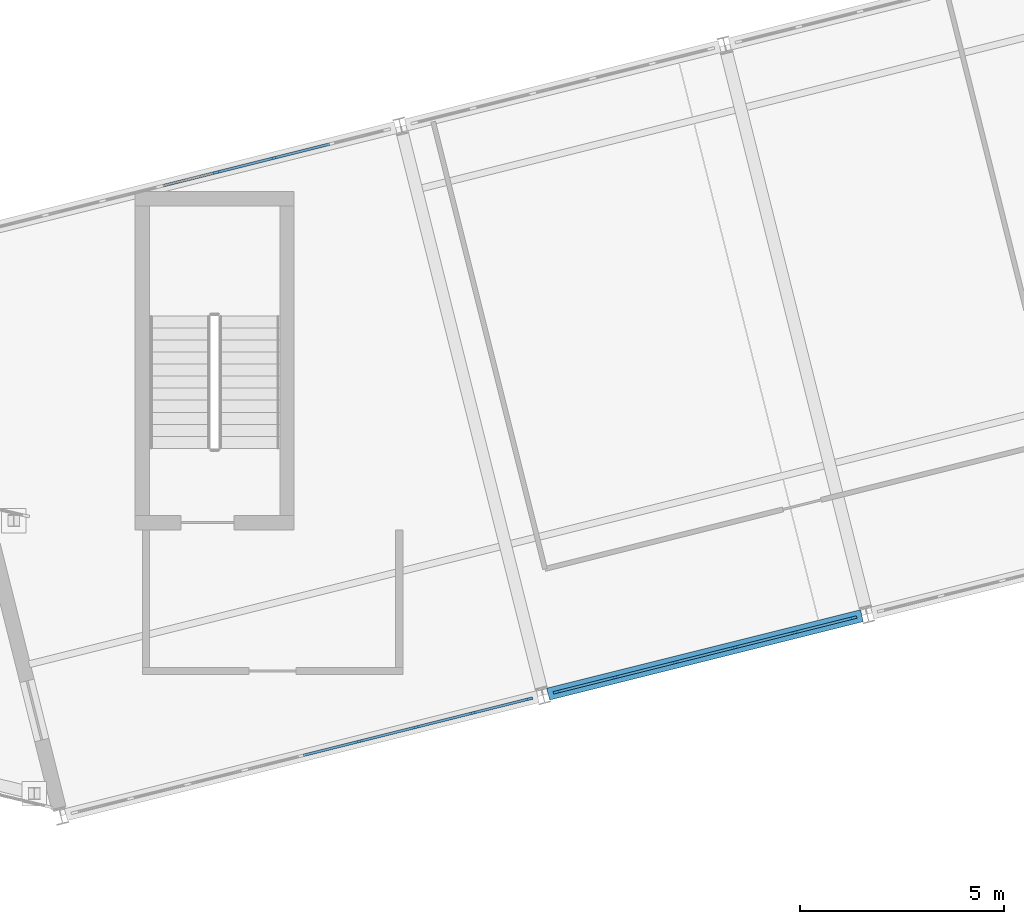
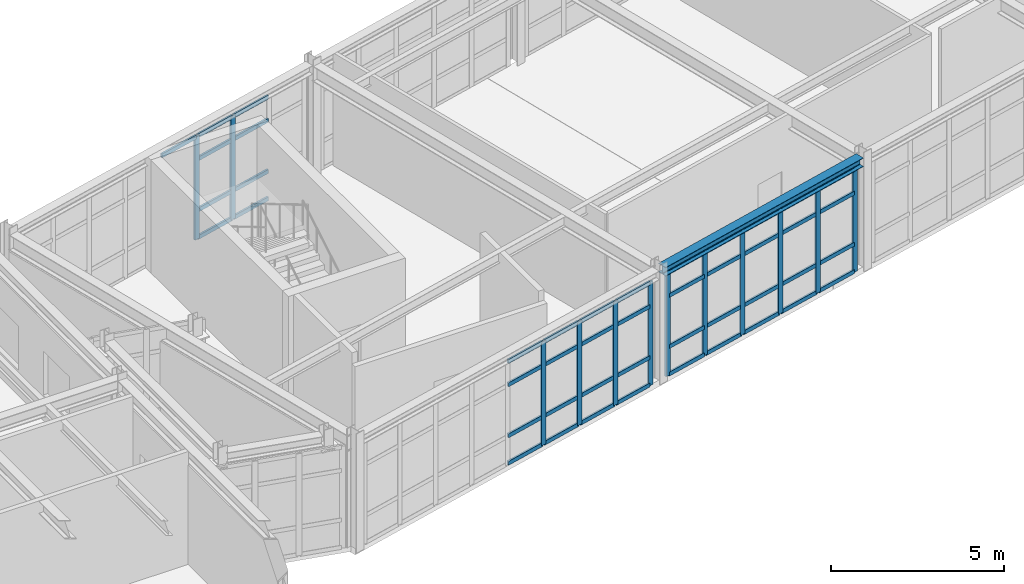
# One storey, part 18 of 76: 57 members, 1 beam, 3 elements without a shape of their own.
"""IFC4 building model written with IfcOpenShell, lengths in metres."""

from ifc_helpers import new_model, si_unit, direction, frame, origin, origin_2d, place, context, subcontext, project, spatial, rectangle, i_section, extrude, material, layer, layer_set, material_profile, profile_set, type_object, element, aggregate, save


model = new_model("IFC4")

# Units and contexts
model_context = context("Model", 3, precision=1e-05, world=origin(), true_north=direction((0.0, 1.0)))
body_context = subcontext(model_context, "Body", "Model", "MODEL_VIEW")
ifc_project = project(units=[si_unit("LENGTHUNIT", "METRE"), si_unit("AREAUNIT", "SQUARE_METRE"), si_unit("VOLUMEUNIT", "CUBIC_METRE"), si_unit("PLANEANGLEUNIT", "RADIAN"), si_unit("MASSUNIT", "GRAM", prefix="KILO")], contexts=[model_context])

# Site, building, storey
site_placement = place(None, origin())
site = spatial("IfcSite", under=ifc_project, at=site_placement, CompositionType="ELEMENT")
building_placement = place(site_placement, origin())
building = spatial("IfcBuilding", under=site, at=building_placement, Name="Nordkorset Police Headquarters", CompositionType="ELEMENT")
storey_placement = place(building_placement, frame((0.0, 0.0, 13.64990234375)))
storey = spatial("IfcBuildingStorey", under=building, at=storey_placement, Name="L03", CompositionType="ELEMENT", Elevation=13.64990234375)

# Curtain wall, members
ifc_material_1 = material(Name="Aluminium alloy AW-6060", Category="aluminium")
ifc_layer_1 = layer(ifc_material_1, 0.179931640625, Name="Aluminium alloy AW-6060")
ifc_layer_set_1 = layer_set([ifc_layer_1], Name="Aluminium alloy AW-6060")
curtain_wall_type_1 = type_object("IfcCurtainWallType", Name="CW_Unit_1156x365", PredefinedType="USERDEFINED", material=ifc_layer_set_1)
curtain_wall_1_placement = place(storey_placement, origin())
curtain_wall_1 = element("IfcCurtainWall", 1, at=curtain_wall_1_placement, inside=storey, type_object=curtain_wall_type_1, Name="Unitised Curtain Wall L03 V4S-0", ObjectType="UNITISED CURTAIN WALL", PredefinedType="USERDEFINED")
ifc_material_2 = material(Name="Aluminium alloy AW-6060", Category="aluminium")
ifc_material_profile_1 = material_profile(ifc_material_2, rectangle(XDim=0.06494140625, YDim=0.179931640625, at=origin_2d()), Name="ALU MULL 65x180")
ifc_profile_set_1 = profile_set([ifc_material_profile_1], Name="Aluminium alloy AW-6060")
member_type_1 = type_object("IfcMemberType", Name="CW_Mullion_65x180", PredefinedType="MULLION", material=ifc_profile_set_1)
member_1_placement = place(storey_placement, frame((30.919677734375, 43.829833984375, 0.0), z_axis=(0.0, 0.0, 1.0), x_axis=(-0.242535625038, 0.970142500145, 0.0)))
member_1 = element("IfcMember", 2, at=member_1_placement, type_object=member_type_1, Name="CW-38 mullion 6", PredefinedType="MULLION", context=body_context, shape_type="SweptSolid", body=[
    extrude(rectangle(XDim=0.06494140625, YDim=0.179931640625, at=origin_2d()), origin(), (0.0, 0.0, 1.0), 3.650146484375),
])
member_2_placement = place(storey_placement, frame((32.321533203125, 44.180419921875, 0.0), z_axis=(0.0, 0.0, 1.0), x_axis=(-0.242535625038, 0.970142500145, 0.0)))
member_2 = element("IfcMember", 3, at=member_2_placement, type_object=member_type_1, Name="CW-38 mullion 7", PredefinedType="MULLION", context=body_context, shape_type="SweptSolid", body=[
    extrude(rectangle(XDim=0.06494140625, YDim=0.179931640625, at=origin_2d()), origin(), (0.0, 0.0, 1.0), 3.650146484375),
])
member_3_placement = place(storey_placement, frame((33.723388671875, 44.53076171875, 0.0), z_axis=(0.0, 0.0, 1.0), x_axis=(-0.242535625038, 0.970142500145, 0.0)))
member_3 = element("IfcMember", 4, at=member_3_placement, type_object=member_type_1, Name="CW-38 mullion 8", PredefinedType="MULLION", context=body_context, shape_type="SweptSolid", body=[
    extrude(rectangle(XDim=0.06494140625, YDim=0.179931640625, at=origin_2d()), origin(), (0.0, 0.0, 1.0), 3.650146484375),
])
member_4_placement = place(storey_placement, frame((35.09375, 44.87353515625, 0.0), z_axis=(0.0, 0.0, 1.0), x_axis=(-0.242535625038, 0.970142500145, 0.0)))
member_4 = element("IfcMember", 5, at=member_4_placement, type_object=member_type_1, Name="CW-38 mullion 9", PredefinedType="MULLION", context=body_context, shape_type="SweptSolid", body=[
    extrude(rectangle(XDim=0.06494140625, YDim=0.179931640625, at=origin_2d()), origin(), (0.0, 0.0, 1.0), 3.650146484375),
])

curtain_wall_2_placement = place(storey_placement, origin())
curtain_wall_2 = element("IfcCurtainWall", 6, at=curtain_wall_2_placement, inside=storey, type_object=curtain_wall_type_1, Name="Unitised Curtain Wall L03 V4N-0", ObjectType="UNITISED CURTAIN WALL", PredefinedType="USERDEFINED")
member_5_placement = place(storey_placement, frame((27.42724609375, 57.800048828125, 0.0), z_axis=(0.0, 0.0, 1.0), x_axis=(-0.242536235663, 0.970142347489, 0.0)))
member_5 = element("IfcMember", 7, at=member_5_placement, type_object=member_type_1, Name="CW-38 mullion 6", PredefinedType="MULLION", context=body_context, shape_type="SweptSolid", body=[
    extrude(rectangle(XDim=0.06494140625, YDim=0.179931640625, at=origin_2d()), origin(), (0.0, 0.0, 1.0), 3.650146484375),
])
member_6_placement = place(storey_placement, frame((28.8291015625, 58.150390625, 0.0), z_axis=(0.0, 0.0, 1.0), x_axis=(-0.242536235663, 0.970142347489, 0.0)))
member_6 = element("IfcMember", 8, at=member_6_placement, type_object=member_type_1, Name="CW-38 mullion 7", PredefinedType="MULLION", context=body_context, shape_type="SweptSolid", body=[
    extrude(rectangle(XDim=0.06494140625, YDim=0.179931640625, at=origin_2d()), origin(), (0.0, 0.0, 1.0), 3.650146484375),
])

ifc_material_3 = material(Name="Aluminium alloy AW-6060", Category="aluminium")
ifc_layer_2 = layer(ifc_material_3, 0.179931640625, Name="Aluminium alloy AW-6060")
ifc_layer_set_2 = layer_set([ifc_layer_2], Name="Aluminium alloy AW-6060")
curtain_wall_type_2 = type_object("IfcCurtainWallType", Name="CW_Unit_756x365", PredefinedType="USERDEFINED", material=ifc_layer_set_2)
curtain_wall_3_placement = place(storey_placement, origin())
curtain_wall_3 = element("IfcCurtainWall", 9, at=curtain_wall_3_placement, inside=storey, type_object=curtain_wall_type_2, Name="Unitised Curtain Wall L03 V4S-1", ObjectType="UNITISED CURTAIN WALL", PredefinedType="USERDEFINED")
member_7_placement = place(storey_placement, frame((35.777587890625, 45.04443359375, 0.0), z_axis=(0.0, 0.0, 1.0), x_axis=(-0.242535625038, 0.970142500145, 0.0)))
member_7 = element("IfcMember", 10, at=member_7_placement, type_object=member_type_1, Name="CW-104 mullion 1", PredefinedType="MULLION", context=body_context, shape_type="SweptSolid", body=[
    extrude(rectangle(XDim=0.06494140625, YDim=0.179931640625, at=origin_2d()), origin(), (0.0, 0.0, 1.0), 3.650146484375),
])
member_8_placement = place(storey_placement, frame((37.213134765625, 45.4033203125, 0.0), z_axis=(0.0, 0.0, 1.0), x_axis=(-0.242535625038, 0.970142500145, 0.0)))
member_8 = element("IfcMember", 11, at=member_8_placement, type_object=member_type_1, Name="CW-104 mullion 2", PredefinedType="MULLION", context=body_context, shape_type="SweptSolid", body=[
    extrude(rectangle(XDim=0.06494140625, YDim=0.179931640625, at=origin_2d()), origin(), (0.0, 0.0, 1.0), 3.650146484375),
])
member_9_placement = place(storey_placement, frame((38.679931640625, 45.77001953125, 0.0), z_axis=(0.0, 0.0, 1.0), x_axis=(-0.242535625038, 0.970142500145, 0.0)))
member_9 = element("IfcMember", 12, at=member_9_placement, type_object=member_type_1, Name="CW-104 mullion 3", PredefinedType="MULLION", context=body_context, shape_type="SweptSolid", body=[
    extrude(rectangle(XDim=0.06494140625, YDim=0.179931640625, at=origin_2d()), origin(), (0.0, 0.0, 1.0), 3.650146484375),
])
member_10_placement = place(storey_placement, frame((40.146728515625, 46.13671875, 0.0), z_axis=(0.0, 0.0, 1.0), x_axis=(-0.242535625038, 0.970142500145, 0.0)))
member_10 = element("IfcMember", 13, at=member_10_placement, type_object=member_type_1, Name="CW-104 mullion 4", PredefinedType="MULLION", context=body_context, shape_type="SweptSolid", body=[
    extrude(rectangle(XDim=0.06494140625, YDim=0.179931640625, at=origin_2d()), origin(), (0.0, 0.0, 1.0), 3.650146484375),
])
member_11_placement = place(storey_placement, frame((41.613525390625, 46.50341796875, 0.0), z_axis=(0.0, 0.0, 1.0), x_axis=(-0.242535625038, 0.970142500145, 0.0)))
member_11 = element("IfcMember", 14, at=member_11_placement, type_object=member_type_1, Name="CW-104 mullion 5", PredefinedType="MULLION", context=body_context, shape_type="SweptSolid", body=[
    extrude(rectangle(XDim=0.06494140625, YDim=0.179931640625, at=origin_2d()), origin(), (0.0, 0.0, 1.0), 3.650146484375),
])
member_12_placement = place(storey_placement, frame((43.048828125, 46.8623046875, 0.0), z_axis=(0.0, 0.0, 1.0), x_axis=(-0.242535625038, 0.970142500145, 0.0)))
member_12 = element("IfcMember", 15, at=member_12_placement, type_object=member_type_1, Name="CW-104 mullion 6", PredefinedType="MULLION", context=body_context, shape_type="SweptSolid", body=[
    extrude(rectangle(XDim=0.06494140625, YDim=0.179931640625, at=origin_2d()), origin(), (0.0, 0.0, 1.0), 3.650146484375),
])

# Member
ifc_material_4 = material(Name="Aluminium alloy AW-6060", Category="aluminium")
ifc_material_profile_2 = material_profile(ifc_material_4, rectangle(XDim=0.06494140625, YDim=0.139892578125, at=origin_2d()), Name="ALU TRAN 65x140")
ifc_profile_set_2 = profile_set([ifc_material_profile_2], Name="Aluminium alloy AW-6060")
member_type_2 = type_object("IfcMemberType", Name="CW_Transom_65x140", PredefinedType="USERDEFINED", material=ifc_profile_set_2)
member_13_placement = place(storey_placement, frame((29.54931640625, 43.4873046875, 0.03271484375), z_axis=(0.970142500145, 0.242535625036, 0.0), x_axis=(-0.242535625036, 0.970142500145, 0.0)))
member_13 = element("IfcMember", 16, at=member_13_placement, type_object=member_type_2, Name="CW-38 transom 5.1", ObjectType="TRANSOM", PredefinedType="USERDEFINED", context=body_context, shape_type="SweptSolid", body=[
    extrude(rectangle(XDim=0.06494140625, YDim=0.139892578125, at=origin_2d()), origin(), (0.0, 0.0, 1.0), 1.380126953125),
])

member_14_placement = place(storey_placement, frame((29.54931640625, 43.4873046875, 1.0), z_axis=(0.970142500145, 0.242535625036, 0.0), x_axis=(-0.242535625036, 0.970142500145, 0.0)))
member_14 = element("IfcMember", 17, at=member_14_placement, type_object=member_type_2, Name="CW-38 transom 5.2", ObjectType="TRANSOM", PredefinedType="USERDEFINED", context=body_context, shape_type="SweptSolid", body=[
    extrude(rectangle(XDim=0.06494140625, YDim=0.139892578125, at=origin_2d()), origin(), (0.0, 0.0, 1.0), 1.380126953125),
])

member_15_placement = place(storey_placement, frame((29.54931640625, 43.4873046875, 2.800048828125), z_axis=(0.970142500145, 0.242535625036, 0.0), x_axis=(-0.242535625036, 0.970142500145, 0.0)))
member_15 = element("IfcMember", 18, at=member_15_placement, type_object=member_type_2, Name="CW-38 transom 5.3", ObjectType="TRANSOM", PredefinedType="USERDEFINED", context=body_context, shape_type="SweptSolid", body=[
    extrude(rectangle(XDim=0.06494140625, YDim=0.139892578125, at=origin_2d()), origin(), (0.0, 0.0, 1.0), 1.380126953125),
])

member_16_placement = place(storey_placement, frame((29.54931640625, 43.4873046875, 3.61767578125), z_axis=(0.970142500145, 0.242535625036, 0.0), x_axis=(-0.242535625036, 0.970142500145, 0.0)))
member_16 = element("IfcMember", 19, at=member_16_placement, type_object=member_type_2, Name="CW-38 transom 5.4", ObjectType="TRANSOM", PredefinedType="USERDEFINED", context=body_context, shape_type="SweptSolid", body=[
    extrude(rectangle(XDim=0.06494140625, YDim=0.139892578125, at=origin_2d()), origin(), (0.0, 0.0, 1.0), 1.380126953125),
])

member_17_placement = place(storey_placement, frame((30.951171875, 43.837890625, 0.03271484375), z_axis=(0.970142500145, 0.242535625036, 0.0), x_axis=(-0.242535625036, 0.970142500145, 0.0)))
member_17 = element("IfcMember", 20, at=member_17_placement, type_object=member_type_2, Name="CW-38 transom 6.1", ObjectType="TRANSOM", PredefinedType="USERDEFINED", context=body_context, shape_type="SweptSolid", body=[
    extrude(rectangle(XDim=0.06494140625, YDim=0.139892578125, at=origin_2d()), origin(), (0.0, 0.0, 1.0), 1.380126953125),
])

member_18_placement = place(storey_placement, frame((30.951171875, 43.837890625, 1.0), z_axis=(0.970142500145, 0.242535625036, 0.0), x_axis=(-0.242535625036, 0.970142500145, 0.0)))
member_18 = element("IfcMember", 21, at=member_18_placement, type_object=member_type_2, Name="CW-38 transom 6.2", ObjectType="TRANSOM", PredefinedType="USERDEFINED", context=body_context, shape_type="SweptSolid", body=[
    extrude(rectangle(XDim=0.06494140625, YDim=0.139892578125, at=origin_2d()), origin(), (0.0, 0.0, 1.0), 1.380126953125),
])

member_19_placement = place(storey_placement, frame((30.951171875, 43.837890625, 2.800048828125), z_axis=(0.970142500145, 0.242535625036, 0.0), x_axis=(-0.242535625036, 0.970142500145, 0.0)))
member_19 = element("IfcMember", 22, at=member_19_placement, type_object=member_type_2, Name="CW-38 transom 6.3", ObjectType="TRANSOM", PredefinedType="USERDEFINED", context=body_context, shape_type="SweptSolid", body=[
    extrude(rectangle(XDim=0.06494140625, YDim=0.139892578125, at=origin_2d()), origin(), (0.0, 0.0, 1.0), 1.380126953125),
])

member_20_placement = place(storey_placement, frame((30.951171875, 43.837890625, 3.61767578125), z_axis=(0.970142500145, 0.242535625036, 0.0), x_axis=(-0.242535625036, 0.970142500145, 0.0)))
member_20 = element("IfcMember", 23, at=member_20_placement, type_object=member_type_2, Name="CW-38 transom 6.4", ObjectType="TRANSOM", PredefinedType="USERDEFINED", context=body_context, shape_type="SweptSolid", body=[
    extrude(rectangle(XDim=0.06494140625, YDim=0.139892578125, at=origin_2d()), origin(), (0.0, 0.0, 1.0), 1.380126953125),
])

member_21_placement = place(storey_placement, frame((32.35302734375, 44.188232421875, 0.03271484375), z_axis=(0.970142500145, 0.242535625036, 0.0), x_axis=(-0.242535625036, 0.970142500145, 0.0)))
member_21 = element("IfcMember", 24, at=member_21_placement, type_object=member_type_2, Name="CW-38 transom 7.1", ObjectType="TRANSOM", PredefinedType="USERDEFINED", context=body_context, shape_type="SweptSolid", body=[
    extrude(rectangle(XDim=0.06494140625, YDim=0.139892578125, at=origin_2d()), origin(), (0.0, 0.0, 1.0), 1.380126953125),
])

member_22_placement = place(storey_placement, frame((32.35302734375, 44.188232421875, 1.0), z_axis=(0.970142500145, 0.242535625036, 0.0), x_axis=(-0.242535625036, 0.970142500145, 0.0)))
member_22 = element("IfcMember", 25, at=member_22_placement, type_object=member_type_2, Name="CW-38 transom 7.2", ObjectType="TRANSOM", PredefinedType="USERDEFINED", context=body_context, shape_type="SweptSolid", body=[
    extrude(rectangle(XDim=0.06494140625, YDim=0.139892578125, at=origin_2d()), origin(), (0.0, 0.0, 1.0), 1.380126953125),
])

member_23_placement = place(storey_placement, frame((32.35302734375, 44.188232421875, 2.800048828125), z_axis=(0.970142500145, 0.242535625036, 0.0), x_axis=(-0.242535625036, 0.970142500145, 0.0)))
member_23 = element("IfcMember", 26, at=member_23_placement, type_object=member_type_2, Name="CW-38 transom 7.3", ObjectType="TRANSOM", PredefinedType="USERDEFINED", context=body_context, shape_type="SweptSolid", body=[
    extrude(rectangle(XDim=0.06494140625, YDim=0.139892578125, at=origin_2d()), origin(), (0.0, 0.0, 1.0), 1.380126953125),
])

member_24_placement = place(storey_placement, frame((32.35302734375, 44.188232421875, 3.61767578125), z_axis=(0.970142500145, 0.242535625036, 0.0), x_axis=(-0.242535625036, 0.970142500145, 0.0)))
member_24 = element("IfcMember", 27, at=member_24_placement, type_object=member_type_2, Name="CW-38 transom 7.4", ObjectType="TRANSOM", PredefinedType="USERDEFINED", context=body_context, shape_type="SweptSolid", body=[
    extrude(rectangle(XDim=0.06494140625, YDim=0.139892578125, at=origin_2d()), origin(), (0.0, 0.0, 1.0), 1.380126953125),
])

member_25_placement = place(storey_placement, frame((33.7548828125, 44.538818359375, 0.03271484375), z_axis=(0.970174463193, 0.242407737022, 0.0), x_axis=(-0.242407737022, 0.970174463193, 0.0)))
member_25 = element("IfcMember", 28, at=member_25_placement, type_object=member_type_2, Name="CW-38 transom 8.1", ObjectType="TRANSOM", PredefinedType="USERDEFINED", context=body_context, shape_type="SweptSolid", body=[
    extrude(rectangle(XDim=0.06494140625, YDim=0.139892578125, at=origin_2d()), origin(), (0.0, 0.0, 1.0), 1.34765625),
])

member_26_placement = place(storey_placement, frame((33.7548828125, 44.538818359375, 1.0), z_axis=(0.970174463193, 0.242407737022, 0.0), x_axis=(-0.242407737022, 0.970174463193, 0.0)))
member_26 = element("IfcMember", 29, at=member_26_placement, type_object=member_type_2, Name="CW-38 transom 8.2", ObjectType="TRANSOM", PredefinedType="USERDEFINED", context=body_context, shape_type="SweptSolid", body=[
    extrude(rectangle(XDim=0.06494140625, YDim=0.139892578125, at=origin_2d()), origin(), (0.0, 0.0, 1.0), 1.34765625),
])

member_27_placement = place(storey_placement, frame((33.7548828125, 44.538818359375, 2.800048828125), z_axis=(0.970174463193, 0.242407737022, 0.0), x_axis=(-0.242407737022, 0.970174463193, 0.0)))
member_27 = element("IfcMember", 30, at=member_27_placement, type_object=member_type_2, Name="CW-38 transom 8.3", ObjectType="TRANSOM", PredefinedType="USERDEFINED", context=body_context, shape_type="SweptSolid", body=[
    extrude(rectangle(XDim=0.06494140625, YDim=0.139892578125, at=origin_2d()), origin(), (0.0, 0.0, 1.0), 1.34765625),
])

member_28_placement = place(storey_placement, frame((33.7548828125, 44.538818359375, 3.61767578125), z_axis=(0.970174463193, 0.242407737022, 0.0), x_axis=(-0.242407737022, 0.970174463193, 0.0)))
member_28 = element("IfcMember", 31, at=member_28_placement, type_object=member_type_2, Name="CW-38 transom 8.4", ObjectType="TRANSOM", PredefinedType="USERDEFINED", context=body_context, shape_type="SweptSolid", body=[
    extrude(rectangle(XDim=0.06494140625, YDim=0.139892578125, at=origin_2d()), origin(), (0.0, 0.0, 1.0), 1.34765625),
])

aggregate(curtain_wall_1, [member_1, member_2, member_3, member_4, member_13, member_14, member_15, member_16, member_17, member_18, member_19, member_20, member_21, member_22, member_23, member_24, member_25, member_26, member_27, member_28])

member_29_placement = place(storey_placement, frame((26.056884765625, 57.45751953125, 3.61767578125), z_axis=(0.970184112154, 0.242369116275, 0.0), x_axis=(-0.242369116275, 0.970184112154, 0.0)))
member_29 = element("IfcMember", 32, at=member_29_placement, type_object=member_type_2, Name="CW-38 transom 5.4", ObjectType="TRANSOM", PredefinedType="USERDEFINED", context=body_context, shape_type="SweptSolid", body=[
    extrude(rectangle(XDim=0.06494140625, YDim=0.139892578125, at=origin_2d()), origin(), (0.0, 0.0, 1.0), 1.380126953125),
])

member_30_placement = place(storey_placement, frame((27.458740234375, 57.807861328125, 0.03271484375), z_axis=(0.970142500145, 0.242535625036, 0.0), x_axis=(-0.242535625036, 0.970142500145, 0.0)))
member_30 = element("IfcMember", 33, at=member_30_placement, type_object=member_type_2, Name="CW-38 transom 6.1", ObjectType="TRANSOM", PredefinedType="USERDEFINED", context=body_context, shape_type="SweptSolid", body=[
    extrude(rectangle(XDim=0.06494140625, YDim=0.139892578125, at=origin_2d()), origin(), (0.0, 0.0, 1.0), 1.380126953125),
])

member_31_placement = place(storey_placement, frame((27.458740234375, 57.807861328125, 1.0), z_axis=(0.970142500145, 0.242535625036, 0.0), x_axis=(-0.242535625036, 0.970142500145, 0.0)))
member_31 = element("IfcMember", 34, at=member_31_placement, type_object=member_type_2, Name="CW-38 transom 6.2", ObjectType="TRANSOM", PredefinedType="USERDEFINED", context=body_context, shape_type="SweptSolid", body=[
    extrude(rectangle(XDim=0.06494140625, YDim=0.139892578125, at=origin_2d()), origin(), (0.0, 0.0, 1.0), 1.380126953125),
])

member_32_placement = place(storey_placement, frame((27.458740234375, 57.807861328125, 2.800048828125), z_axis=(0.970142500145, 0.242535625036, 0.0), x_axis=(-0.242535625036, 0.970142500145, 0.0)))
member_32 = element("IfcMember", 35, at=member_32_placement, type_object=member_type_2, Name="CW-38 transom 6.3", ObjectType="TRANSOM", PredefinedType="USERDEFINED", context=body_context, shape_type="SweptSolid", body=[
    extrude(rectangle(XDim=0.06494140625, YDim=0.139892578125, at=origin_2d()), origin(), (0.0, 0.0, 1.0), 1.380126953125),
])

member_33_placement = place(storey_placement, frame((27.458740234375, 57.807861328125, 3.61767578125), z_axis=(0.970142500145, 0.242535625036, 0.0), x_axis=(-0.242535625036, 0.970142500145, 0.0)))
member_33 = element("IfcMember", 36, at=member_33_placement, type_object=member_type_2, Name="CW-38 transom 6.4", ObjectType="TRANSOM", PredefinedType="USERDEFINED", context=body_context, shape_type="SweptSolid", body=[
    extrude(rectangle(XDim=0.06494140625, YDim=0.139892578125, at=origin_2d()), origin(), (0.0, 0.0, 1.0), 1.380126953125),
])

member_34_placement = place(storey_placement, frame((28.860595703125, 58.158447265625, 0.03271484375), z_axis=(0.970184112154, 0.242369116275, 0.0), x_axis=(-0.242369116275, 0.970184112154, 0.0)))
member_34 = element("IfcMember", 37, at=member_34_placement, type_object=member_type_2, Name="CW-38 transom 7.1", ObjectType="TRANSOM", PredefinedType="USERDEFINED", context=body_context, shape_type="SweptSolid", body=[
    extrude(rectangle(XDim=0.06494140625, YDim=0.139892578125, at=origin_2d()), origin(), (0.0, 0.0, 1.0), 1.380126953125),
])

member_35_placement = place(storey_placement, frame((28.860595703125, 58.158447265625, 1.0), z_axis=(0.970184112154, 0.242369116275, 0.0), x_axis=(-0.242369116275, 0.970184112154, 0.0)))
member_35 = element("IfcMember", 38, at=member_35_placement, type_object=member_type_2, Name="CW-38 transom 7.2", ObjectType="TRANSOM", PredefinedType="USERDEFINED", context=body_context, shape_type="SweptSolid", body=[
    extrude(rectangle(XDim=0.06494140625, YDim=0.139892578125, at=origin_2d()), origin(), (0.0, 0.0, 1.0), 1.380126953125),
])

member_36_placement = place(storey_placement, frame((28.860595703125, 58.158447265625, 2.800048828125), z_axis=(0.970184112154, 0.242369116275, 0.0), x_axis=(-0.242369116275, 0.970184112154, 0.0)))
member_36 = element("IfcMember", 39, at=member_36_placement, type_object=member_type_2, Name="CW-38 transom 7.3", ObjectType="TRANSOM", PredefinedType="USERDEFINED", context=body_context, shape_type="SweptSolid", body=[
    extrude(rectangle(XDim=0.06494140625, YDim=0.139892578125, at=origin_2d()), origin(), (0.0, 0.0, 1.0), 1.380126953125),
])

member_37_placement = place(storey_placement, frame((28.860595703125, 58.158447265625, 3.61767578125), z_axis=(0.970184112154, 0.242369116275, 0.0), x_axis=(-0.242369116275, 0.970184112154, 0.0)))
member_37 = element("IfcMember", 40, at=member_37_placement, type_object=member_type_2, Name="CW-38 transom 7.4", ObjectType="TRANSOM", PredefinedType="USERDEFINED", context=body_context, shape_type="SweptSolid", body=[
    extrude(rectangle(XDim=0.06494140625, YDim=0.139892578125, at=origin_2d()), origin(), (0.0, 0.0, 1.0), 1.380126953125),
])

aggregate(curtain_wall_2, [member_5, member_6, member_29, member_30, member_31, member_32, member_33, member_34, member_35, member_36, member_37])

member_38_placement = place(storey_placement, frame((35.809326171875, 45.05224609375, 0.03271484375), z_axis=(0.970142500145, 0.242535625036, 0.0), x_axis=(-0.242535625036, 0.970142500145, 0.0)))
member_38 = element("IfcMember", 41, at=member_38_placement, type_object=member_type_2, Name="CW-104 transom 1.1", ObjectType="TRANSOM", PredefinedType="USERDEFINED", context=body_context, shape_type="SweptSolid", body=[
    extrude(rectangle(XDim=0.06494140625, YDim=0.139892578125, at=origin_2d()), origin(), (0.0, 0.0, 1.0), 1.414306640625),
])

member_39_placement = place(storey_placement, frame((35.809326171875, 45.05224609375, 1.0), z_axis=(0.970142500145, 0.242535625036, 0.0), x_axis=(-0.242535625036, 0.970142500145, 0.0)))
member_39 = element("IfcMember", 42, at=member_39_placement, type_object=member_type_2, Name="CW-104 transom 1.2", ObjectType="TRANSOM", PredefinedType="USERDEFINED", context=body_context, shape_type="SweptSolid", body=[
    extrude(rectangle(XDim=0.06494140625, YDim=0.139892578125, at=origin_2d()), origin(), (0.0, 0.0, 1.0), 1.414306640625),
])

member_40_placement = place(storey_placement, frame((35.809326171875, 45.05224609375, 2.800048828125), z_axis=(0.970142500145, 0.242535625036, 0.0), x_axis=(-0.242535625036, 0.970142500145, 0.0)))
member_40 = element("IfcMember", 43, at=member_40_placement, type_object=member_type_2, Name="CW-104 transom 1.3", ObjectType="TRANSOM", PredefinedType="USERDEFINED", context=body_context, shape_type="SweptSolid", body=[
    extrude(rectangle(XDim=0.06494140625, YDim=0.139892578125, at=origin_2d()), origin(), (0.0, 0.0, 1.0), 1.414306640625),
])

member_41_placement = place(storey_placement, frame((35.809326171875, 45.05224609375, 3.61767578125), z_axis=(0.970142500145, 0.242535625036, 0.0), x_axis=(-0.242535625036, 0.970142500145, 0.0)))
member_41 = element("IfcMember", 44, at=member_41_placement, type_object=member_type_2, Name="CW-104 transom 1.4", ObjectType="TRANSOM", PredefinedType="USERDEFINED", context=body_context, shape_type="SweptSolid", body=[
    extrude(rectangle(XDim=0.06494140625, YDim=0.139892578125, at=origin_2d()), origin(), (0.0, 0.0, 1.0), 1.414306640625),
])

member_42_placement = place(storey_placement, frame((37.24462890625, 45.4111328125, 0.03271484375), z_axis=(0.97012264784, 0.242615020451, 0.0), x_axis=(-0.242615020451, 0.97012264784, 0.0)))
member_42 = element("IfcMember", 45, at=member_42_placement, type_object=member_type_2, Name="CW-104 transom 2.1", ObjectType="TRANSOM", PredefinedType="USERDEFINED", context=body_context, shape_type="SweptSolid", body=[
    extrude(rectangle(XDim=0.06494140625, YDim=0.139892578125, at=origin_2d()), origin(), (0.0, 0.0, 1.0), 1.447021484375),
])

member_43_placement = place(storey_placement, frame((37.24462890625, 45.4111328125, 1.0), z_axis=(0.97012264784, 0.242615020451, 0.0), x_axis=(-0.242615020451, 0.97012264784, 0.0)))
member_43 = element("IfcMember", 46, at=member_43_placement, type_object=member_type_2, Name="CW-104 transom 2.2", ObjectType="TRANSOM", PredefinedType="USERDEFINED", context=body_context, shape_type="SweptSolid", body=[
    extrude(rectangle(XDim=0.06494140625, YDim=0.139892578125, at=origin_2d()), origin(), (0.0, 0.0, 1.0), 1.447021484375),
])

member_44_placement = place(storey_placement, frame((37.24462890625, 45.4111328125, 2.800048828125), z_axis=(0.97012264784, 0.242615020451, 0.0), x_axis=(-0.242615020451, 0.97012264784, 0.0)))
member_44 = element("IfcMember", 47, at=member_44_placement, type_object=member_type_2, Name="CW-104 transom 2.3", ObjectType="TRANSOM", PredefinedType="USERDEFINED", context=body_context, shape_type="SweptSolid", body=[
    extrude(rectangle(XDim=0.06494140625, YDim=0.139892578125, at=origin_2d()), origin(), (0.0, 0.0, 1.0), 1.447021484375),
])

member_45_placement = place(storey_placement, frame((37.24462890625, 45.4111328125, 3.61767578125), z_axis=(0.97012264784, 0.242615020451, 0.0), x_axis=(-0.242615020451, 0.97012264784, 0.0)))
member_45 = element("IfcMember", 48, at=member_45_placement, type_object=member_type_2, Name="CW-104 transom 2.4", ObjectType="TRANSOM", PredefinedType="USERDEFINED", context=body_context, shape_type="SweptSolid", body=[
    extrude(rectangle(XDim=0.06494140625, YDim=0.139892578125, at=origin_2d()), origin(), (0.0, 0.0, 1.0), 1.447021484375),
])

member_46_placement = place(storey_placement, frame((38.71142578125, 45.77783203125, 0.03271484375), z_axis=(0.97012264784, 0.242615020451, 0.0), x_axis=(-0.242615020451, 0.97012264784, 0.0)))
member_46 = element("IfcMember", 49, at=member_46_placement, type_object=member_type_2, Name="CW-104 transom 3.1", ObjectType="TRANSOM", PredefinedType="USERDEFINED", context=body_context, shape_type="SweptSolid", body=[
    extrude(rectangle(XDim=0.06494140625, YDim=0.139892578125, at=origin_2d()), origin(), (0.0, 0.0, 1.0), 1.447021484375),
])

member_47_placement = place(storey_placement, frame((38.71142578125, 45.77783203125, 1.0), z_axis=(0.97012264784, 0.242615020451, 0.0), x_axis=(-0.242615020451, 0.97012264784, 0.0)))
member_47 = element("IfcMember", 50, at=member_47_placement, type_object=member_type_2, Name="CW-104 transom 3.2", ObjectType="TRANSOM", PredefinedType="USERDEFINED", context=body_context, shape_type="SweptSolid", body=[
    extrude(rectangle(XDim=0.06494140625, YDim=0.139892578125, at=origin_2d()), origin(), (0.0, 0.0, 1.0), 1.447021484375),
])

member_48_placement = place(storey_placement, frame((38.71142578125, 45.77783203125, 2.800048828125), z_axis=(0.97012264784, 0.242615020451, 0.0), x_axis=(-0.242615020451, 0.97012264784, 0.0)))
member_48 = element("IfcMember", 51, at=member_48_placement, type_object=member_type_2, Name="CW-104 transom 3.3", ObjectType="TRANSOM", PredefinedType="USERDEFINED", context=body_context, shape_type="SweptSolid", body=[
    extrude(rectangle(XDim=0.06494140625, YDim=0.139892578125, at=origin_2d()), origin(), (0.0, 0.0, 1.0), 1.447021484375),
])

member_49_placement = place(storey_placement, frame((38.71142578125, 45.77783203125, 3.61767578125), z_axis=(0.97012264784, 0.242615020451, 0.0), x_axis=(-0.242615020451, 0.97012264784, 0.0)))
member_49 = element("IfcMember", 52, at=member_49_placement, type_object=member_type_2, Name="CW-104 transom 3.4", ObjectType="TRANSOM", PredefinedType="USERDEFINED", context=body_context, shape_type="SweptSolid", body=[
    extrude(rectangle(XDim=0.06494140625, YDim=0.139892578125, at=origin_2d()), origin(), (0.0, 0.0, 1.0), 1.447021484375),
])

member_50_placement = place(storey_placement, frame((40.17822265625, 46.14453125, 0.03271484375), z_axis=(0.97012264784, 0.242615020451, 0.0), x_axis=(-0.242615020451, 0.97012264784, 0.0)))
member_50 = element("IfcMember", 53, at=member_50_placement, type_object=member_type_2, Name="CW-104 transom 4.1", ObjectType="TRANSOM", PredefinedType="USERDEFINED", context=body_context, shape_type="SweptSolid", body=[
    extrude(rectangle(XDim=0.06494140625, YDim=0.139892578125, at=origin_2d()), origin(), (0.0, 0.0, 1.0), 1.447021484375),
])

member_51_placement = place(storey_placement, frame((40.17822265625, 46.14453125, 1.0), z_axis=(0.97012264784, 0.242615020451, 0.0), x_axis=(-0.242615020451, 0.97012264784, 0.0)))
member_51 = element("IfcMember", 54, at=member_51_placement, type_object=member_type_2, Name="CW-104 transom 4.2", ObjectType="TRANSOM", PredefinedType="USERDEFINED", context=body_context, shape_type="SweptSolid", body=[
    extrude(rectangle(XDim=0.06494140625, YDim=0.139892578125, at=origin_2d()), origin(), (0.0, 0.0, 1.0), 1.447021484375),
])

member_52_placement = place(storey_placement, frame((40.17822265625, 46.14453125, 2.800048828125), z_axis=(0.97012264784, 0.242615020451, 0.0), x_axis=(-0.242615020451, 0.97012264784, 0.0)))
member_52 = element("IfcMember", 55, at=member_52_placement, type_object=member_type_2, Name="CW-104 transom 4.3", ObjectType="TRANSOM", PredefinedType="USERDEFINED", context=body_context, shape_type="SweptSolid", body=[
    extrude(rectangle(XDim=0.06494140625, YDim=0.139892578125, at=origin_2d()), origin(), (0.0, 0.0, 1.0), 1.447021484375),
])

member_53_placement = place(storey_placement, frame((40.17822265625, 46.14453125, 3.61767578125), z_axis=(0.97012264784, 0.242615020451, 0.0), x_axis=(-0.242615020451, 0.97012264784, 0.0)))
member_53 = element("IfcMember", 56, at=member_53_placement, type_object=member_type_2, Name="CW-104 transom 4.4", ObjectType="TRANSOM", PredefinedType="USERDEFINED", context=body_context, shape_type="SweptSolid", body=[
    extrude(rectangle(XDim=0.06494140625, YDim=0.139892578125, at=origin_2d()), origin(), (0.0, 0.0, 1.0), 1.447021484375),
])

member_54_placement = place(storey_placement, frame((41.64501953125, 46.51123046875, 0.03271484375), z_axis=(0.970152651902, 0.242495014396, 0.0), x_axis=(-0.242495014396, 0.970152651902, 0.0)))
member_54 = element("IfcMember", 57, at=member_54_placement, type_object=member_type_2, Name="CW-104 transom 5.1", ObjectType="TRANSOM", PredefinedType="USERDEFINED", context=body_context, shape_type="SweptSolid", body=[
    extrude(rectangle(XDim=0.06494140625, YDim=0.139892578125, at=origin_2d()), origin(), (0.0, 0.0, 1.0), 1.41455078125),
])

member_55_placement = place(storey_placement, frame((41.64501953125, 46.51123046875, 1.0), z_axis=(0.970152651902, 0.242495014396, 0.0), x_axis=(-0.242495014396, 0.970152651902, 0.0)))
member_55 = element("IfcMember", 58, at=member_55_placement, type_object=member_type_2, Name="CW-104 transom 5.2", ObjectType="TRANSOM", PredefinedType="USERDEFINED", context=body_context, shape_type="SweptSolid", body=[
    extrude(rectangle(XDim=0.06494140625, YDim=0.139892578125, at=origin_2d()), origin(), (0.0, 0.0, 1.0), 1.41455078125),
])

member_56_placement = place(storey_placement, frame((41.64501953125, 46.51123046875, 2.800048828125), z_axis=(0.970152651902, 0.242495014396, 0.0), x_axis=(-0.242495014396, 0.970152651902, 0.0)))
member_56 = element("IfcMember", 59, at=member_56_placement, type_object=member_type_2, Name="CW-104 transom 5.3", ObjectType="TRANSOM", PredefinedType="USERDEFINED", context=body_context, shape_type="SweptSolid", body=[
    extrude(rectangle(XDim=0.06494140625, YDim=0.139892578125, at=origin_2d()), origin(), (0.0, 0.0, 1.0), 1.41455078125),
])

member_57_placement = place(storey_placement, frame((41.64501953125, 46.51123046875, 3.61767578125), z_axis=(0.970152651902, 0.242495014396, 0.0), x_axis=(-0.242495014396, 0.970152651902, 0.0)))
member_57 = element("IfcMember", 60, at=member_57_placement, type_object=member_type_2, Name="CW-104 transom 5.4", ObjectType="TRANSOM", PredefinedType="USERDEFINED", context=body_context, shape_type="SweptSolid", body=[
    extrude(rectangle(XDim=0.06494140625, YDim=0.139892578125, at=origin_2d()), origin(), (0.0, 0.0, 1.0), 1.41455078125),
])

aggregate(curtain_wall_3, [member_7, member_8, member_9, member_10, member_11, member_12, member_38, member_39, member_40, member_41, member_42, member_43, member_44, member_45, member_46, member_47, member_48, member_49, member_50, member_51, member_52, member_53, member_54, member_55, member_56, member_57])

# Beam
ifc_material_5 = material(Name="Steel S355J2", Category="steel")
ifc_material_profile_3 = material_profile(ifc_material_5, i_section(OverallWidth=0.300048828125, OverallDepth=0.31005859375, WebThickness=0.009033203125, FlangeThickness=0.015380859375, FilletRadius=0.027099609375, at=origin_2d()), Name="HEA 320")
ifc_profile_set_3 = profile_set([ifc_material_profile_3], Name="Steel S355J2")
beam_type = type_object("IfcBeamType", Name="Spandrel_HEA_320", PredefinedType="SPANDREL", material=ifc_profile_set_3)
beam_placement = place(storey_placement, frame((35.561767578125, 44.990478515625, 3.8251953125), z_axis=(0.970142500145, 0.242535625036, 0.0), x_axis=(-0.242535625036, 0.970142500145, 0.0)))
element("IfcBeam", 61, at=beam_placement, inside=storey, type_object=beam_type, Name="Splayed Wing Spandrel L03 1-0", PredefinedType="SPANDREL", context=body_context, shape_type="SweptSolid", body=[
    extrude(i_section(OverallWidth=0.300048828125, OverallDepth=0.31005859375, WebThickness=0.009033203125, FlangeThickness=0.015380859375, FilletRadius=0.027099609375, at=origin_2d()), origin(), (0.0, 0.0, 1.0), 7.940185546875),
])

save(model, "model.ifc")
